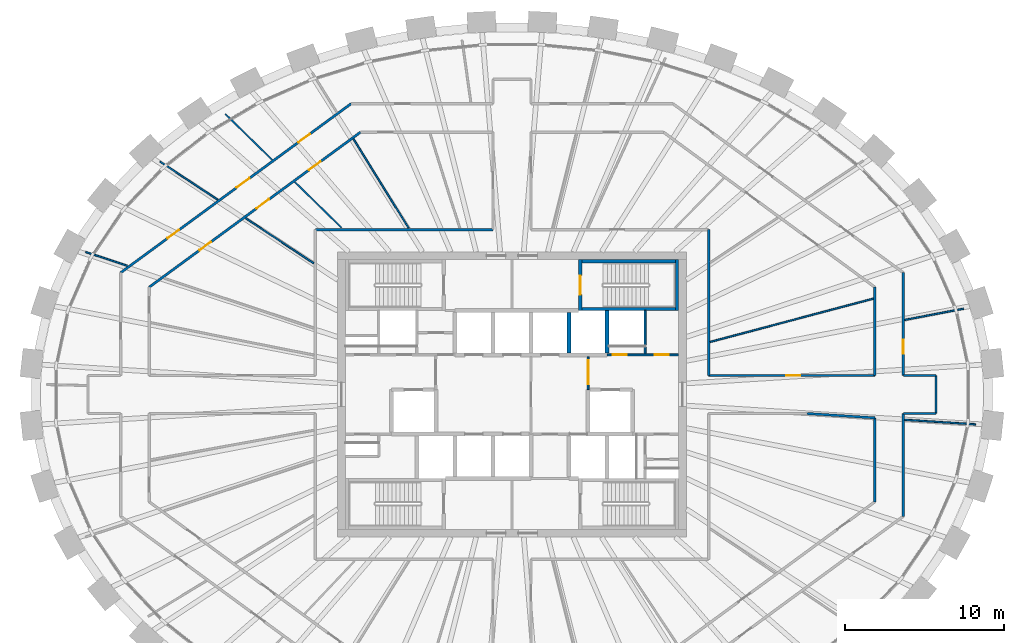
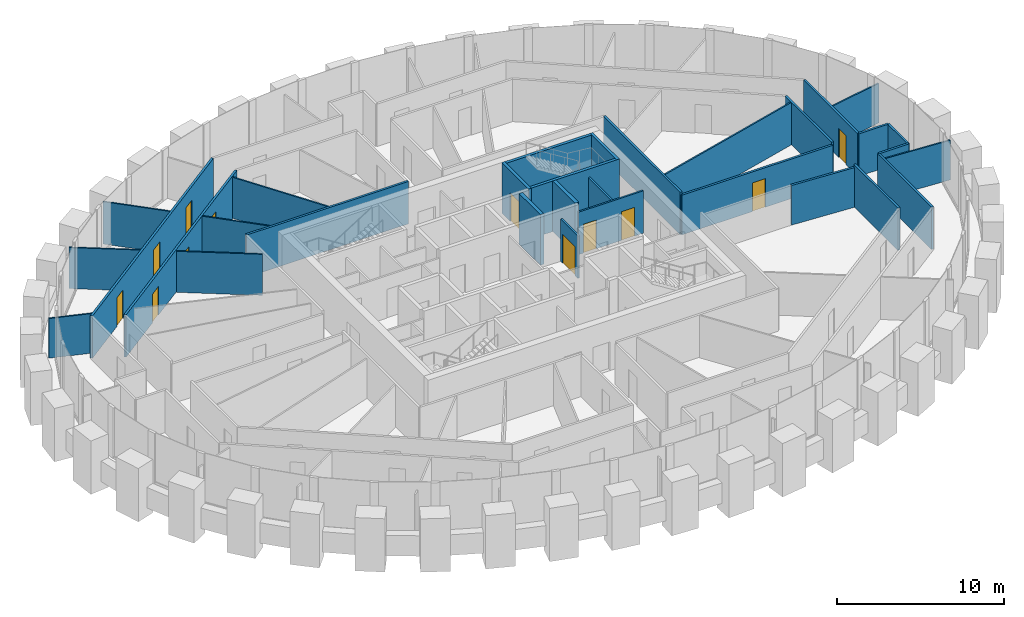
# One storey, part 9 of 12: 31 walls, 12 doors, 12 openings.
"""IFC4 building model written with IfcOpenShell, lengths in metres."""

from ifc_helpers import new_model, si_unit, direction, frame, frame_2d, origin, place, context, subcontext, project, spatial, rectangle, extrude, source, transform, mapped, material, layer, layer_set, type_object, element, fill, save


model = new_model("IFC4")

# Units and contexts
model_context = context("Model", 3, precision=1e-05, world=origin(), true_north=direction((0.0, 1.0)))
body_context = subcontext(model_context, "Body", "Model", "MODEL_VIEW")
ifc_project = project(units=[si_unit("LENGTHUNIT", "METRE"), si_unit("AREAUNIT", "SQUARE_METRE"), si_unit("VOLUMEUNIT", "CUBIC_METRE"), si_unit("PLANEANGLEUNIT", "RADIAN"), si_unit("MASSUNIT", "GRAM", prefix="KILO")], contexts=[model_context])

# Site, building, storey
site_placement = place(None, origin())
site = spatial("IfcSite", under=ifc_project, at=site_placement, CompositionType="ELEMENT")
building_placement = place(site_placement, origin())
building = spatial("IfcBuilding", under=site, at=building_placement, Name="Embergate Tower", CompositionType="ELEMENT")
storey_placement = place(building_placement, frame((0.0, 0.0, 313.0)))
storey = spatial("IfcBuildingStorey", under=building, at=storey_placement, Name="L73", CompositionType="ELEMENT", Elevation=313.0)

# Walls
ifc_material_1 = material(Name="Concrete C50", Category="concrete")
ifc_layer_1 = layer(ifc_material_1, 0.25)
ifc_layer_set_1 = layer_set([ifc_layer_1], Name="Concrete C50")
wall_type_1 = type_object("IfcWallType", Name="Hoistway wall reinforced concrete 250", PredefinedType="SHEAR", material=ifc_layer_set_1)
shared_shape_1 = source(origin(), body_context, "Body", "SweptSolid", [
    extrude(rectangle(XDim=2.675048828125, YDim=0.25, at=frame_2d((1.33740234375, 0.0))), origin(), (0.0, 0.0, 1.0), 3.699951171875),
])
wall_1_placement = place(storey_placement, frame((6.0, 2.625, 0.0), z_axis=(0.0, 0.0, 1.0), x_axis=(0.0, 1.0, 0.0)))
element("IfcWall", 1, at=wall_1_placement, inside=storey, type_object=wall_type_1, Name="HW-1 wall", PredefinedType="SHEAR", context=body_context, shape_type="MappedRepresentation", body=[
    mapped(shared_shape_1, transform((0.0, 0.0, 0.0))),
])
ifc_layer_2 = layer(ifc_material_1, 0.199951171875)
ifc_layer_set_2 = layer_set([ifc_layer_2], Name="Concrete C50")
wall_type_2 = type_object("IfcWallType", Name="Stair enclosure wall reinforced concrete 250", PredefinedType="SHEAR", material=ifc_layer_set_2)
shared_shape_2 = source(origin(), body_context, "Body", "SweptSolid", [
    extrude(rectangle(XDim=6.300048828125, YDim=0.199951171875, at=frame_2d((3.14990234375, 0.0))), origin(), (0.0, 0.0, 1.0), 3.699951171875),
])
wall_2_placement = place(storey_placement, frame((10.5, 5.39990234375, 0.0), z_axis=(0.0, 0.0, 1.0), x_axis=(-1.0, 0.0, 0.0)))
element("IfcWall", 2, at=wall_2_placement, inside=storey, type_object=wall_type_2, Name="SE-1 wall", PredefinedType="SHEAR", context=body_context, shape_type="MappedRepresentation", body=[
    mapped(shared_shape_2, transform((0.0, 0.0, 0.0))),
])
ifc_material_2 = material(Name="Core partition blockwork 120")
ifc_layer_3 = layer(ifc_material_2, 0.1201171875)
ifc_layer_set_3 = layer_set([ifc_layer_3], Name="Core partition blockwork 120")
wall_type_3 = type_object("IfcWallType", Name="Core partition blockwork 120", PredefinedType="PARTITIONING", material=ifc_layer_set_3)
shared_shape_3 = source(origin(), body_context, "Body", "SweptSolid", [
    extrude(rectangle(XDim=2.739990234375, YDim=0.1201171875, at=frame_2d((1.3701171875, 0.0))), origin(), (0.0, 0.0, 1.0), 3.10009765625),
])
wall_3_placement = place(storey_placement, frame((8.39990234375, 2.56005859375, 0.0), z_axis=(0.0, 0.0, 1.0), x_axis=(0.0, 1.0, 0.0)))
element("IfcWall", 3, at=wall_3_placement, inside=storey, type_object=wall_type_3, Name="IP-3 wall", PredefinedType="PARTITIONING", context=body_context, shape_type="MappedRepresentation", body=[
    mapped(shared_shape_3, transform((0.0, 0.0, 0.0))),
])
shared_shape_4 = source(origin(), body_context, "Body", "SweptSolid", [
    extrude(rectangle(XDim=2.550048828125, YDim=0.25, at=frame_2d((1.27490234375, 0.0))), origin(), (0.0, 0.0, 1.0), 3.699951171875),
])
wall_4_placement = place(storey_placement, frame((3.60009765625, 2.625, 0.0), z_axis=(0.0, 0.0, 1.0), x_axis=(0.0, 1.0, 0.0)))
element("IfcWall", 4, at=wall_4_placement, inside=storey, type_object=wall_type_1, Name="HW-1 wall", PredefinedType="SHEAR", context=body_context, shape_type="MappedRepresentation", body=[
    mapped(shared_shape_4, transform((0.0, 0.0, 0.0))),
])

# Wall, opening, door
shared_shape_5 = source(origin(), body_context, "Body", "SweptSolid", [
    extrude(rectangle(XDim=2.074951171875, YDim=0.1201171875, at=frame_2d((1.03759765625, 0.0))), origin(), (0.0, 0.0, 1.0), 3.10009765625),
])
wall_5_placement = place(storey_placement, frame((4.800048828125, 0.300048828125, 0.0), z_axis=(0.0, 0.0, 1.0), x_axis=(0.0, 1.0, 0.0)))
wall_5 = element("IfcWall", 5, at=wall_5_placement, inside=storey, type_object=wall_type_3, Name="IP-3 wall", PredefinedType="PARTITIONING", context=body_context, shape_type="MappedRepresentation", body=[
    mapped(shared_shape_5, transform((0.0, 0.0, 0.0))),
])
shared_shape_6 = source(origin(), body_context, "Body", "SweptSolid", [
    extrude(rectangle(XDim=1.5, YDim=2.10009765625, at=frame_2d((0.75, 1.050048828125))), frame((0.0, 0.070068359375, 0.0), z_axis=(0.0, -1.0, 0.0), x_axis=(1.0, 0.0, 0.0)), (0.0, 0.0, 1.0), 0.14013671875),
])
opening_1_placement = place(wall_5_placement, frame((0.35009765625, 0.0, 0.0)))
opening_1 = element("IfcOpeningElement", 6, at=opening_1_placement, cuts=wall_5, Name="Opening IF-3", PredefinedType="OPENING", context=body_context, shape_type="MappedRepresentation", body=[
    mapped(shared_shape_6, transform((0.0, 0.0, 0.0))),
])
ifc_material_3 = material(Name="Lobby fire door pair 1500")
door_type_1 = type_object("IfcDoorType", Name="Lobby fire door pair 1500", OperationType="DOUBLE_DOOR_SINGLE_SWING", PredefinedType="DOOR", material=ifc_material_3)
shared_shape_7 = source(origin(), body_context, "Body", "SweptSolid", [
    extrude(rectangle(XDim=1.5, YDim=2.10009765625, at=frame_2d((0.75, 1.050048828125))), frame((0.0, 0.02490234375, 0.0), z_axis=(0.0, -1.0, 0.0), x_axis=(1.0, 0.0, 0.0)), (0.0, 0.0, 1.0), 0.050048828125),
])
door_1_placement = place(opening_1_placement, origin())
door_1 = element("IfcDoor", 7, at=door_1_placement, inside=storey, type_object=door_type_1, Name="IF-3 door", OperationType="DOUBLE_DOOR_SINGLE_SWING", OverallHeight=2.10009765625, OverallWidth=1.5, PredefinedType="DOOR", context=body_context, shape_type="MappedRepresentation", body=[
    mapped(shared_shape_7, transform((0.0, 0.0, 0.0))),
])
fill(opening_1, door_1)

shared_shape_8 = source(origin(), body_context, "Body", "SweptSolid", [
    extrude(rectangle(XDim=3.199951171875, YDim=0.199951171875, at=frame_2d((1.60009765625, 0.0))), origin(), (0.0, 0.0, 1.0), 3.699951171875),
])
wall_6_placement = place(storey_placement, frame((4.300048828125, 8.5, 0.0), z_axis=(0.0, 0.0, 1.0), x_axis=(0.0, -1.0, 0.0)))
wall_6 = element("IfcWall", 8, at=wall_6_placement, inside=storey, type_object=wall_type_2, Name="SE-1 wall", PredefinedType="SHEAR", context=body_context, shape_type="MappedRepresentation", body=[
    mapped(shared_shape_8, transform((0.0, 0.0, 0.0))),
])
shared_shape_9 = source(origin(), body_context, "Body", "SweptSolid", [
    extrude(rectangle(XDim=1.199951171875, YDim=2.10009765625, at=frame_2d((0.60009765625, 1.050048828125))), frame((0.0, 0.10986328125, 0.0), z_axis=(0.0, -1.0, 0.0), x_axis=(1.0, 0.0, 0.0)), (0.0, 0.0, 1.0), 0.219970703125),
])
opening_2_placement = place(wall_6_placement, frame((1.0, 0.0, 0.0)))
opening_2 = element("IfcOpeningElement", 9, at=opening_2_placement, cuts=wall_6, Name="Opening IF-2", PredefinedType="OPENING", context=body_context, shape_type="MappedRepresentation", body=[
    mapped(shared_shape_9, transform((0.0, 0.0, 0.0))),
])
ifc_material_4 = material(Name="Stair enclosure door 1200")
door_type_2 = type_object("IfcDoorType", Name="Stair enclosure door 1200", OperationType="SINGLE_SWING_LEFT", PredefinedType="DOOR", material=ifc_material_4)
shared_shape_10 = source(origin(), body_context, "Body", "SweptSolid", [
    extrude(rectangle(XDim=1.199951171875, YDim=2.10009765625, at=frame_2d((0.60009765625, 1.050048828125))), frame((0.0, 0.02490234375, 0.0), z_axis=(0.0, -1.0, 0.0), x_axis=(1.0, 0.0, 0.0)), (0.0, 0.0, 1.0), 0.050048828125),
])
door_2_placement = place(opening_2_placement, origin())
door_2 = element("IfcDoor", 10, at=door_2_placement, inside=storey, type_object=door_type_2, Name="IF-2 door", OperationType="SINGLE_SWING_LEFT", OverallHeight=2.10009765625, OverallWidth=1.199951171875, PredefinedType="DOOR", context=body_context, shape_type="MappedRepresentation", body=[
    mapped(shared_shape_10, transform((0.0, 0.0, 0.0))),
])
fill(opening_2, door_2)

# Walls
ifc_material_5 = material(Name="Partition dry-lined 100")
ifc_layer_4 = layer(ifc_material_5, 0.10009765625)
ifc_layer_set_4 = layer_set([ifc_layer_4], Name="Partition dry-lined 100")
wall_type_4 = type_object("IfcWallType", Name="Partition dry-lined 100", PredefinedType="PARTITIONING", material=ifc_layer_set_4)
shared_shape_11 = source(origin(), body_context, "Body", "SweptSolid", [
    extrude(rectangle(XDim=4.35986328125, YDim=0.10009765625, at=frame_2d((2.179931640625, 0.0))), origin(), (0.0, 0.0, 1.0), 3.0),
])
wall_7_placement = place(storey_placement, frame((-18.56103515625, 12.283935546875, 0.0), z_axis=(0.0, 0.0, 1.0), x_axis=(-0.833949259323, 0.551841130104, 0.0)))
element("IfcWall", 11, at=wall_7_placement, inside=storey, type_object=wall_type_4, Name="IP-1 wall", PredefinedType="PARTITIONING", context=body_context, shape_type="MappedRepresentation", body=[
    mapped(shared_shape_11, transform((0.0, 0.0, 0.0))),
])
shared_shape_12 = source(origin(), body_context, "Body", "SweptSolid", [
    extrude(rectangle(XDim=6.298095703125, YDim=0.199951171875, at=frame_2d((3.14892578125, 0.0))), origin(), (0.0, 0.0, 1.0), 3.699951171875),
])
wall_8_placement = place(storey_placement, frame((10.5, 8.39990234375, 0.0), z_axis=(0.0, 0.0, 1.0), x_axis=(-1.0, 0.0, 0.0)))
element("IfcWall", 12, at=wall_8_placement, inside=storey, type_object=wall_type_2, Name="SE-1 wall", PredefinedType="SHEAR", context=body_context, shape_type="MappedRepresentation", body=[
    mapped(shared_shape_12, transform((0.0, 0.0, 0.0))),
])
shared_shape_13 = source(origin(), body_context, "Body", "SweptSolid", [
    extrude(rectangle(XDim=3.197998046875, YDim=0.199951171875, at=frame_2d((1.59912109375, 0.0))), origin(), (0.0, 0.0, 1.0), 3.699951171875),
])
wall_9_placement = place(storey_placement, frame((10.39990234375, 5.302001953125, 0.0), z_axis=(0.0, 0.0, 1.0), x_axis=(0.0, 1.0, 0.0)))
element("IfcWall", 13, at=wall_9_placement, inside=storey, type_object=wall_type_2, Name="SE-1 wall", PredefinedType="SHEAR", context=body_context, shape_type="MappedRepresentation", body=[
    mapped(shared_shape_13, transform((0.0, 0.0, 0.0))),
])
ifc_material_6 = material(Name="Corridor wall dry-lined 150")
ifc_layer_5 = layer(ifc_material_6, 0.14990234375)
ifc_layer_set_5 = layer_set([ifc_layer_5], Name="Corridor wall dry-lined 150")
wall_type_5 = type_object("IfcWallType", Name="Corridor wall dry-lined 150", PredefinedType="PARTITIONING", material=ifc_layer_set_5)
shared_shape_14 = source(origin(), body_context, "Body", "SweptSolid", [
    extrude(rectangle(XDim=9.199951171875, YDim=0.14990234375, at=frame_2d((4.60009765625, 0.0))), origin(), (0.0, 0.0, 1.0), 3.10009765625),
])
wall_10_placement = place(storey_placement, frame((12.39990234375, 10.39990234375, 0.0), z_axis=(0.0, 0.0, 1.0), x_axis=(0.0, -1.0, 0.0)))
element("IfcWall", 14, at=wall_10_placement, inside=storey, type_object=wall_type_5, Name="IP-2 wall", PredefinedType="PARTITIONING", context=body_context, shape_type="MappedRepresentation", body=[
    mapped(shared_shape_14, transform((0.0, 0.0, 0.0))),
])
shared_shape_15 = source(origin(), body_context, "Body", "SweptSolid", [
    extrude(rectangle(XDim=11.199951171875, YDim=0.14990234375, at=frame_2d((5.60009765625, 0.0))), origin(), (0.0, 0.0, 1.0), 3.10009765625),
])
wall_11_placement = place(storey_placement, frame((-12.39990234375, 10.39990234375, 0.0), z_axis=(0.0, 0.0, 1.0), x_axis=(1.0, 0.0, 0.0)))
element("IfcWall", 15, at=wall_11_placement, inside=storey, type_object=wall_type_5, Name="IP-2 wall", PredefinedType="PARTITIONING", context=body_context, shape_type="MappedRepresentation", body=[
    mapped(shared_shape_15, transform((0.0, 0.0, 0.0))),
])
shared_shape_16 = source(origin(), body_context, "Body", "SweptSolid", [
    extrude(rectangle(XDim=2.39990234375, YDim=0.14990234375, at=frame_2d((1.199951171875, 0.0))), origin(), (0.0, 0.0, 1.0), 3.10009765625),
])
wall_12_placement = place(storey_placement, frame((26.740966796875, -1.199951171875, 0.0), z_axis=(0.0, 0.0, 1.0), x_axis=(0.0, 1.0, 0.0)))
element("IfcWall", 16, at=wall_12_placement, inside=storey, type_object=wall_type_5, Name="IP-2 wall", PredefinedType="PARTITIONING", context=body_context, shape_type="MappedRepresentation", body=[
    mapped(shared_shape_16, transform((0.0, 0.0, 0.0))),
])

# Wall, openings, doors
shared_shape_17 = source(origin(), body_context, "Body", "SweptSolid", [
    extrude(rectangle(XDim=4.5, YDim=0.1201171875, at=frame_2d((2.25, 0.0))), origin(), (0.0, 0.0, 1.0), 3.10009765625),
])
wall_13_placement = place(storey_placement, frame((6.0, 2.5, 0.0), z_axis=(0.0, 0.0, 1.0), x_axis=(1.0, 0.0, 0.0)))
wall_13 = element("IfcWall", 17, at=wall_13_placement, inside=storey, type_object=wall_type_3, Name="IP-3 wall", PredefinedType="PARTITIONING", context=body_context, shape_type="MappedRepresentation", body=[
    mapped(shared_shape_17, transform((0.0, 0.0, 0.0))),
])
shared_shape_18 = source(origin(), body_context, "Body", "SweptSolid", [
    extrude(rectangle(XDim=0.89990234375, YDim=2.10009765625, at=frame_2d((0.449951171875, 1.050048828125))), frame((0.0, 0.070068359375, 0.0), z_axis=(0.0, -1.0, 0.0), x_axis=(1.0, 0.0, 0.0)), (0.0, 0.0, 1.0), 0.14013671875),
])
opening_3_placement = place(wall_13_placement, frame((0.35009765625, 0.0, 0.0)))
opening_3 = element("IfcOpeningElement", 18, at=opening_3_placement, cuts=wall_13, Name="Opening ID-1", PredefinedType="OPENING", context=body_context, shape_type="MappedRepresentation", body=[
    mapped(shared_shape_18, transform((0.0, 0.0, 0.0))),
])
opening_4_placement = place(wall_13_placement, frame((3.0, 0.0, 0.0)))
opening_4 = element("IfcOpeningElement", 19, at=opening_4_placement, cuts=wall_13, Name="Opening ID-1", PredefinedType="OPENING", context=body_context, shape_type="MappedRepresentation", body=[
    mapped(shared_shape_18, transform((0.0, 0.0, 0.0))),
])
ifc_material_7 = material(Name="Interior door 900")
door_type_3 = type_object("IfcDoorType", Name="Interior door 900", OperationType="SINGLE_SWING_LEFT", PredefinedType="DOOR", material=ifc_material_7)
shared_shape_19 = source(origin(), body_context, "Body", "SweptSolid", [
    extrude(rectangle(XDim=0.89990234375, YDim=2.10009765625, at=frame_2d((0.449951171875, 1.050048828125))), frame((0.0, 0.02490234375, 0.0), z_axis=(0.0, -1.0, 0.0), x_axis=(1.0, 0.0, 0.0)), (0.0, 0.0, 1.0), 0.050048828125),
])
door_3_placement = place(opening_3_placement, origin())
door_3 = element("IfcDoor", 20, at=door_3_placement, inside=storey, type_object=door_type_3, Name="ID-1 door", OperationType="SINGLE_SWING_LEFT", OverallHeight=2.10009765625, OverallWidth=0.89990234375, PredefinedType="DOOR", context=body_context, shape_type="MappedRepresentation", body=[
    mapped(shared_shape_19, transform((0.0, 0.0, 0.0))),
])
fill(opening_3, door_3)
door_4_placement = place(opening_4_placement, origin())
door_4 = element("IfcDoor", 21, at=door_4_placement, inside=storey, type_object=door_type_3, Name="ID-1 door", OperationType="SINGLE_SWING_RIGHT", OverallHeight=2.10009765625, OverallWidth=0.89990234375, PredefinedType="DOOR", context=body_context, shape_type="MappedRepresentation", body=[
    mapped(shared_shape_19, transform((0.0, 0.0, 0.0))),
])
fill(opening_4, door_4)

shared_shape_20 = source(origin(), body_context, "Body", "SweptSolid", [
    extrude(rectangle(XDim=18.027099609375, YDim=0.14990234375, at=frame_2d((9.013671875, 0.0))), origin(), (0.0, 0.0, 1.0), 3.10009765625),
])
wall_14_placement = place(storey_placement, frame((-10.14501953125, 18.341064453125, 0.0), z_axis=(0.0, 0.0, 1.0), x_axis=(-0.80638475932, -0.591391257914, 0.0)))
wall_14 = element("IfcWall", 22, at=wall_14_placement, inside=storey, type_object=wall_type_5, Name="IP-2 wall", PredefinedType="PARTITIONING", context=body_context, shape_type="MappedRepresentation", body=[
    mapped(shared_shape_20, transform((0.0, 0.0, 0.0))),
])
shared_shape_21 = source(origin(), body_context, "Body", "SweptSolid", [
    extrude(rectangle(XDim=0.89990234375, YDim=2.10009765625, at=frame_2d((0.449951171875, 1.050048828125))), frame((0.0, 0.0849609375, 0.0), z_axis=(0.0, -1.0, 0.0), x_axis=(1.0, 0.0, 0.0)), (0.0, 0.0, 1.0), 0.169921875),
])
opening_5_placement = place(wall_14_placement, frame((3.23291015625, 0.0, 0.0)))
opening_5 = element("IfcOpeningElement", 23, at=opening_5_placement, cuts=wall_14, Name="Opening IF-1c", PredefinedType="OPENING", context=body_context, shape_type="MappedRepresentation", body=[
    mapped(shared_shape_21, transform((0.0, 0.0, 0.0))),
])
shared_shape_22 = source(origin(), body_context, "Body", "SweptSolid", [
    extrude(rectangle(XDim=1.0, YDim=2.10009765625, at=frame_2d((0.5, 1.050048828125))), frame((0.0, 0.0849609375, 0.0), z_axis=(0.0, -1.0, 0.0), x_axis=(1.0, 0.0, 0.0)), (0.0, 0.0, 1.0), 0.169921875),
])
opening_6_placement = place(wall_14_placement, frame((7.953125, 0.0, 0.0)))
opening_6 = element("IfcOpeningElement", 24, at=opening_6_placement, cuts=wall_14, Name="Opening ID-2", PredefinedType="OPENING", context=body_context, shape_type="MappedRepresentation", body=[
    mapped(shared_shape_22, transform((0.0, 0.0, 0.0))),
])
opening_7_placement = place(wall_14_placement, frame((13.453369140625, 0.0, 0.0)))
opening_7 = element("IfcOpeningElement", 25, at=opening_7_placement, cuts=wall_14, Name="Opening IF-1c", PredefinedType="OPENING", context=body_context, shape_type="MappedRepresentation", body=[
    mapped(shared_shape_21, transform((0.0, 0.0, 0.0))),
])
ifc_material_8 = material(Name="Escape fire door 900")
door_type_4 = type_object("IfcDoorType", Name="Escape fire door 900", OperationType="SINGLE_SWING_LEFT", PredefinedType="DOOR", material=ifc_material_8)
door_5_placement = place(opening_5_placement, origin())
door_5 = element("IfcDoor", 26, at=door_5_placement, inside=storey, type_object=door_type_4, Name="IF-1 door", OperationType="SINGLE_SWING_RIGHT", OverallHeight=2.10009765625, OverallWidth=0.89990234375, PredefinedType="DOOR", context=body_context, shape_type="MappedRepresentation", body=[
    mapped(shared_shape_19, transform((0.0, 0.0, 0.0))),
])
fill(opening_5, door_5)
door_6_placement = place(opening_7_placement, origin())
door_6 = element("IfcDoor", 27, at=door_6_placement, inside=storey, type_object=door_type_4, Name="IF-1 door", OperationType="SINGLE_SWING_LEFT", OverallHeight=2.10009765625, OverallWidth=0.89990234375, PredefinedType="DOOR", context=body_context, shape_type="MappedRepresentation", body=[
    mapped(shared_shape_19, transform((0.0, 0.0, 0.0))),
])
fill(opening_7, door_6)
ifc_material_9 = material(Name="Interior door 1000")
door_type_5 = type_object("IfcDoorType", Name="Interior door 1000", OperationType="SINGLE_SWING_LEFT", PredefinedType="DOOR", material=ifc_material_9)
shared_shape_23 = source(origin(), body_context, "Body", "SweptSolid", [
    extrude(rectangle(XDim=1.0, YDim=2.10009765625, at=frame_2d((0.5, 1.050048828125))), frame((0.0, 0.02490234375, 0.0), z_axis=(0.0, -1.0, 0.0), x_axis=(1.0, 0.0, 0.0)), (0.0, 0.0, 1.0), 0.050048828125),
])
door_7_placement = place(opening_6_placement, origin())
door_7 = element("IfcDoor", 28, at=door_7_placement, inside=storey, type_object=door_type_5, Name="ID-2 door", OperationType="SINGLE_SWING_LEFT", OverallHeight=2.10009765625, OverallWidth=1.0, PredefinedType="DOOR", context=body_context, shape_type="MappedRepresentation", body=[
    mapped(shared_shape_23, transform((0.0, 0.0, 0.0))),
])
fill(opening_6, door_7)

shared_shape_24 = source(origin(), body_context, "Body", "SweptSolid", [
    extrude(rectangle(XDim=16.525634765625, YDim=0.14990234375, at=frame_2d((8.2626953125, 0.0))), origin(), (0.0, 0.0, 1.0), 3.10009765625),
])
wall_15_placement = place(storey_placement, frame((-22.882080078125, 6.76806640625, 0.0), z_axis=(0.0, 0.0, 1.0), x_axis=(0.806392784122, 0.591380315631, 0.0)))
wall_15 = element("IfcWall", 29, at=wall_15_placement, inside=storey, type_object=wall_type_5, Name="IP-2 wall", PredefinedType="PARTITIONING", context=body_context, shape_type="MappedRepresentation", body=[
    mapped(shared_shape_24, transform((0.0, 0.0, 0.0))),
])
opening_8_placement = place(wall_15_placement, frame((12.513671875, 0.0, 0.0)))
opening_8 = element("IfcOpeningElement", 30, at=opening_8_placement, cuts=wall_15, Name="Opening IF-1c", PredefinedType="OPENING", context=body_context, shape_type="MappedRepresentation", body=[
    mapped(shared_shape_21, transform((0.0, 0.0, 0.0))),
])
opening_9_placement = place(wall_15_placement, frame((8.378662109375, 0.0, 0.0)))
opening_9 = element("IfcOpeningElement", 31, at=opening_9_placement, cuts=wall_15, Name="Opening ID-2", PredefinedType="OPENING", context=body_context, shape_type="MappedRepresentation", body=[
    mapped(shared_shape_22, transform((0.0, 0.0, 0.0))),
])
opening_10_placement = place(wall_15_placement, frame((3.93310546875, 0.0, 0.0)))
opening_10 = element("IfcOpeningElement", 32, at=opening_10_placement, cuts=wall_15, Name="Opening IF-1c", PredefinedType="OPENING", context=body_context, shape_type="MappedRepresentation", body=[
    mapped(shared_shape_21, transform((0.0, 0.0, 0.0))),
])
door_8_placement = place(opening_8_placement, origin())
door_8 = element("IfcDoor", 33, at=door_8_placement, inside=storey, type_object=door_type_4, Name="IF-1 door", OperationType="SINGLE_SWING_RIGHT", OverallHeight=2.10009765625, OverallWidth=0.89990234375, PredefinedType="DOOR", context=body_context, shape_type="MappedRepresentation", body=[
    mapped(shared_shape_19, transform((0.0, 0.0, 0.0))),
])
fill(opening_8, door_8)
door_9_placement = place(opening_10_placement, origin())
door_9 = element("IfcDoor", 34, at=door_9_placement, inside=storey, type_object=door_type_4, Name="IF-1 door", OperationType="SINGLE_SWING_RIGHT", OverallHeight=2.10009765625, OverallWidth=0.89990234375, PredefinedType="DOOR", context=body_context, shape_type="MappedRepresentation", body=[
    mapped(shared_shape_19, transform((0.0, 0.0, 0.0))),
])
fill(opening_10, door_9)
door_10_placement = place(opening_9_placement, origin())
door_10 = element("IfcDoor", 35, at=door_10_placement, inside=storey, type_object=door_type_5, Name="ID-2 door", OperationType="SINGLE_SWING_RIGHT", OverallHeight=2.10009765625, OverallWidth=1.0, PredefinedType="DOOR", context=body_context, shape_type="MappedRepresentation", body=[
    mapped(shared_shape_23, transform((0.0, 0.0, 0.0))),
])
fill(opening_9, door_10)

# Wall
ifc_material_10 = material(Name="Corridor wall dry-lined 150 wet")
ifc_layer_6 = layer(ifc_material_10, 0.14990234375)
ifc_layer_set_6 = layer_set([ifc_layer_6], Name="Corridor wall dry-lined 150 wet")
wall_type_6 = type_object("IfcWallType", Name="Corridor wall dry-lined 150 wet", PredefinedType="PLUMBINGWALL", material=ifc_layer_set_6)
shared_shape_25 = source(origin(), body_context, "Body", "SweptSolid", [
    extrude(rectangle(XDim=6.47998046875, YDim=0.14990234375, at=frame_2d((3.239990234375, 0.0))), origin(), (0.0, 0.0, 1.0), 3.10009765625),
])
wall_16_placement = place(storey_placement, frame((24.681884765625, -7.679931640625, 0.0), z_axis=(0.0, 0.0, 1.0), x_axis=(0.0, 1.0, 0.0)))
element("IfcWall", 36, at=wall_16_placement, inside=storey, type_object=wall_type_6, Name="IP-2 wall", PredefinedType="PLUMBINGWALL", context=body_context, shape_type="MappedRepresentation", body=[
    mapped(shared_shape_25, transform((0.0, 0.0, 0.0))),
])

# Wall, opening, door
wall_17_placement = place(storey_placement, frame((24.681884765625, 1.199951171875, 0.0), z_axis=(0.0, 0.0, 1.0), x_axis=(0.0, 1.0, 0.0)))
wall_17 = element("IfcWall", 37, at=wall_17_placement, inside=storey, type_object=wall_type_5, Name="IP-2 wall", PredefinedType="PARTITIONING", context=body_context, shape_type="MappedRepresentation", body=[
    mapped(shared_shape_25, transform((0.0, 0.0, 0.0))),
])
opening_11_placement = place(wall_17_placement, frame((1.35498046875, 0.0, 0.0)))
opening_11 = element("IfcOpeningElement", 38, at=opening_11_placement, cuts=wall_17, Name="Opening IF-1c", PredefinedType="OPENING", context=body_context, shape_type="MappedRepresentation", body=[
    mapped(shared_shape_21, transform((0.0, 0.0, 0.0))),
])
door_11_placement = place(opening_11_placement, origin())
door_11 = element("IfcDoor", 39, at=door_11_placement, inside=storey, type_object=door_type_4, Name="IF-1 door", OperationType="SINGLE_SWING_RIGHT", OverallHeight=2.10009765625, OverallWidth=0.89990234375, PredefinedType="DOOR", context=body_context, shape_type="MappedRepresentation", body=[
    mapped(shared_shape_19, transform((0.0, 0.0, 0.0))),
])
fill(opening_11, door_11)

# Walls
shared_shape_26 = source(origin(), body_context, "Body", "SweptSolid", [
    extrude(rectangle(XDim=5.29296875, YDim=0.14990234375, at=frame_2d((2.646484375, 0.0))), origin(), (0.0, 0.0, 1.0), 3.10009765625),
])
wall_18_placement = place(storey_placement, frame((22.882080078125, -1.47509765625, 0.0), z_axis=(0.0, 0.0, 1.0), x_axis=(0.0, -1.0, 0.0)))
element("IfcWall", 40, at=wall_18_placement, inside=storey, type_object=wall_type_5, Name="IP-2 wall", PredefinedType="PARTITIONING", context=body_context, shape_type="MappedRepresentation", body=[
    mapped(shared_shape_26, transform((0.0, 0.0, 0.0))),
])
shared_shape_27 = source(origin(), body_context, "Body", "SweptSolid", [
    extrude(rectangle(XDim=2.05908203125, YDim=0.14990234375, at=frame_2d((1.029541015625, 0.0))), origin(), (0.0, 0.0, 1.0), 3.10009765625),
])
for number, where, z_axis, x_axis, name in (
    (41, (24.681884765625, -1.199951171875, 0.0), (0.0, 0.0, 1.0), (1.0, 0.0, 0.0), "IP-2 wall"),
    (42, (26.740966796875, 1.199951171875, 0.0), (0.0, 0.0, 1.0), (-1.0, 0.0, 0.0), "IP-2 wall"),
):
    element("IfcWall", number, at=place(storey_placement, frame(where, z_axis=z_axis, x_axis=x_axis)), inside=storey, type_object=wall_type_5, Name=name, PredefinedType="PARTITIONING", context=body_context, shape_type="MappedRepresentation", body=[
        mapped(shared_shape_27, transform((0.0, 0.0, 0.0))),
    ])
shared_shape_28 = source(origin(), body_context, "Body", "SweptSolid", [
    extrude(rectangle(XDim=5.568115234375, YDim=0.14990234375, at=frame_2d((2.7841796875, 0.0))), origin(), (0.0, 0.0, 1.0), 3.10009765625),
])
wall_19_placement = place(storey_placement, frame((22.882080078125, 1.199951171875, 0.0), z_axis=(0.0, 0.0, 1.0), x_axis=(0.0, 1.0, 0.0)))
element("IfcWall", 43, at=wall_19_placement, inside=storey, type_object=wall_type_5, Name="IP-2 wall", PredefinedType="PARTITIONING", context=body_context, shape_type="MappedRepresentation", body=[
    mapped(shared_shape_28, transform((0.0, 0.0, 0.0))),
])
shared_shape_29 = source(origin(), body_context, "Body", "SweptSolid", [
    extrude(rectangle(XDim=6.612060546875, YDim=0.10009765625, at=frame_2d((3.30615234375, 0.0))), origin(), (0.0, 0.0, 1.0), 3.0),
])
wall_20_placement = place(storey_placement, frame((-6.51806640625, 10.5009765625, 0.0), z_axis=(0.0, 0.0, 1.0), x_axis=(-0.527344479033, 0.849651575902, 0.0)))
element("IfcWall", 44, at=wall_20_placement, inside=storey, type_object=wall_type_4, Name="IP-1 wall", PredefinedType="PARTITIONING", context=body_context, shape_type="MappedRepresentation", body=[
    mapped(shared_shape_29, transform((0.0, 0.0, 0.0))),
])
shared_shape_30 = source(origin(), body_context, "Body", "SweptSolid", [
    extrude(rectangle(XDim=10.662353515625, YDim=0.10009765625, at=frame_2d((5.3310546875, 0.0))), origin(), (0.0, 0.0, 1.0), 3.10009765625),
])
wall_21_placement = place(storey_placement, frame((22.7939453125, 6.0458984375, 0.0), z_axis=(0.0, 0.0, 1.0), x_axis=(-0.9665693176, -0.256405448996, 0.0)))
element("IfcWall", 45, at=wall_21_placement, inside=storey, type_object=wall_type_4, Name="IP-1 wall", PredefinedType="PARTITIONING", context=body_context, shape_type="MappedRepresentation", body=[
    mapped(shared_shape_30, transform((0.0, 0.0, 0.0))),
])
shared_shape_31 = source(origin(), body_context, "Body", "SweptSolid", [
    extrude(rectangle(XDim=4.14306640625, YDim=0.10009765625, at=frame_2d((2.071533203125, 0.0))), origin(), (0.0, 0.0, 1.0), 3.10009765625),
])
wall_22_placement = place(storey_placement, frame((-15.12109375, 14.794921875, 0.0), z_axis=(0.0, 0.0, 1.0), x_axis=(-0.714900619225, 0.69922607548, 0.0)))
element("IfcWall", 46, at=wall_22_placement, inside=storey, type_object=wall_type_4, Name="IP-1 wall", PredefinedType="PARTITIONING", context=body_context, shape_type="MappedRepresentation", body=[
    mapped(shared_shape_31, transform((0.0, 0.0, 0.0))),
])
shared_shape_32 = source(origin(), body_context, "Body", "SweptSolid", [
    extrude(rectangle(XDim=4.132568359375, YDim=0.10009765625, at=frame_2d((2.06640625, 0.0))), origin(), (0.0, 0.0, 1.0), 3.10009765625),
])
wall_23_placement = place(storey_placement, frame((-10.742919921875, 10.510986328125, 0.0), z_axis=(0.0, 0.0, 1.0), x_axis=(-0.71483274161, 0.69929546797, 0.0)))
element("IfcWall", 47, at=wall_23_placement, inside=storey, type_object=wall_type_4, Name="IP-1 wall", PredefinedType="PARTITIONING", context=body_context, shape_type="MappedRepresentation", body=[
    mapped(shared_shape_32, transform((0.0, 0.0, 0.0))),
])
shared_shape_33 = source(origin(), body_context, "Body", "SweptSolid", [
    extrude(rectangle(XDim=5.1494140625, YDim=0.10009765625, at=frame_2d((2.57470703125, 0.0))), origin(), (0.0, 0.0, 1.0), 3.0),
])
wall_24_placement = place(storey_placement, frame((-12.5029296875, 8.27392578125, 0.0), z_axis=(0.0, 0.0, 1.0), x_axis=(-0.833905572374, 0.551907144693, 0.0)))
element("IfcWall", 48, at=wall_24_placement, inside=storey, type_object=wall_type_4, Name="IP-1 wall", PredefinedType="PARTITIONING", context=body_context, shape_type="MappedRepresentation", body=[
    mapped(shared_shape_33, transform((0.0, 0.0, 0.0))),
])
shared_shape_34 = source(origin(), body_context, "Body", "SweptSolid", [
    extrude(rectangle(XDim=4.27294921875, YDim=0.14990234375, at=frame_2d((2.136474609375, 0.0))), origin(), (0.0, 0.0, 1.0), 2.89990234375),
])
wall_25_placement = place(storey_placement, frame((18.617919921875, -1.199951171875, 0.0), z_axis=(0.0, 0.0, 1.0), x_axis=(0.997924716851, -0.064391455164, 0.0)))
element("IfcWall", 49, at=wall_25_placement, inside=storey, type_object=wall_type_5, Name="IP-2 wall", PredefinedType="PARTITIONING", context=body_context, shape_type="MappedRepresentation", body=[
    mapped(shared_shape_34, transform((0.0, 0.0, 0.0))),
])

# Wall, opening, door
shared_shape_35 = source(origin(), body_context, "Body", "SweptSolid", [
    extrude(rectangle(XDim=10.482177734375, YDim=0.14990234375, at=frame_2d((5.2412109375, 0.0))), origin(), (0.0, 0.0, 1.0), 2.89990234375),
])
wall_26_placement = place(storey_placement, frame((12.39990234375, 1.199951171875, 0.0), z_axis=(0.0, 0.0, 1.0), x_axis=(1.0, 0.0, 0.0)))
wall_26 = element("IfcWall", 50, at=wall_26_placement, inside=storey, type_object=wall_type_5, Name="IP-2 wall", PredefinedType="PARTITIONING", context=body_context, shape_type="MappedRepresentation", body=[
    mapped(shared_shape_35, transform((0.0, 0.0, 0.0))),
])
opening_12_placement = place(wall_26_placement, frame((4.881103515625, 0.0, 0.0)))
opening_12 = element("IfcOpeningElement", 51, at=opening_12_placement, cuts=wall_26, Name="Opening IF-1c", PredefinedType="OPENING", context=body_context, shape_type="MappedRepresentation", body=[
    mapped(shared_shape_21, transform((0.0, 0.0, 0.0))),
])
door_12_placement = place(opening_12_placement, origin())
door_12 = element("IfcDoor", 52, at=door_12_placement, inside=storey, type_object=door_type_4, Name="IF-1 door", OperationType="SINGLE_SWING_LEFT", OverallHeight=2.10009765625, OverallWidth=0.89990234375, PredefinedType="DOOR", context=body_context, shape_type="MappedRepresentation", body=[
    mapped(shared_shape_19, transform((0.0, 0.0, 0.0))),
])
fill(opening_12, door_12)

# Walls
shared_shape_36 = source(origin(), body_context, "Body", "SweptSolid", [
    extrude(rectangle(XDim=2.76171875, YDim=0.10009765625, at=frame_2d((1.380859375, 0.0))), origin(), (0.0, 0.0, 1.0), 2.89990234375),
])
wall_27_placement = place(storey_placement, frame((-24.264892578125, 8.114013671875, 0.0), z_axis=(0.0, 0.0, 1.0), x_axis=(-0.948364574498, 0.317182335319, 0.0)))
element("IfcWall", 53, at=wall_27_placement, inside=storey, type_object=wall_type_4, Name="IP-1 wall", PredefinedType="PARTITIONING", context=body_context, shape_type="MappedRepresentation", body=[
    mapped(shared_shape_36, transform((0.0, 0.0, 0.0))),
])
ifc_material_11 = material(Name="Partition dry-lined 100 wet")
ifc_layer_7 = layer(ifc_material_11, 0.10009765625)
ifc_layer_set_7 = layer_set([ifc_layer_7], Name="Partition dry-lined 100 wet")
wall_type_7 = type_object("IfcWallType", Name="Partition dry-lined 100 wet", PredefinedType="PLUMBINGWALL", material=ifc_layer_set_7)
shared_shape_37 = source(origin(), body_context, "Body", "SweptSolid", [
    extrude(rectangle(XDim=4.4892578125, YDim=0.10009765625, at=frame_2d((2.24462890625, 0.0))), origin(), (0.0, 0.0, 1.0), 2.89990234375),
])
wall_28_placement = place(storey_placement, frame((29.236083984375, -1.884033203125, 0.0), z_axis=(0.0, 0.0, 1.0), x_axis=(-0.997938812399, 0.064172632078, 0.0)))
element("IfcWall", 54, at=wall_28_placement, inside=storey, type_object=wall_type_7, Name="IP-1 wall", PredefinedType="PLUMBINGWALL", context=body_context, shape_type="MappedRepresentation", body=[
    mapped(shared_shape_37, transform((0.0, 0.0, 0.0))),
])
shared_shape_38 = source(origin(), body_context, "Body", "SweptSolid", [
    extrude(rectangle(XDim=3.77734375, YDim=0.10009765625, at=frame_2d((1.888671875, 0.0))), origin(), (0.0, 0.0, 1.0), 2.89990234375),
])
wall_29_placement = place(storey_placement, frame((28.47705078125, 5.407958984375, 0.0), z_axis=(0.0, 0.0, 1.0), x_axis=(-0.982424451701, -0.186660645823, 0.0)))
element("IfcWall", 55, at=wall_29_placement, inside=storey, type_object=wall_type_4, Name="IP-1 wall", PredefinedType="PARTITIONING", context=body_context, shape_type="MappedRepresentation", body=[
    mapped(shared_shape_38, transform((0.0, 0.0, 0.0))),
])

save(model, "model.ifc")
